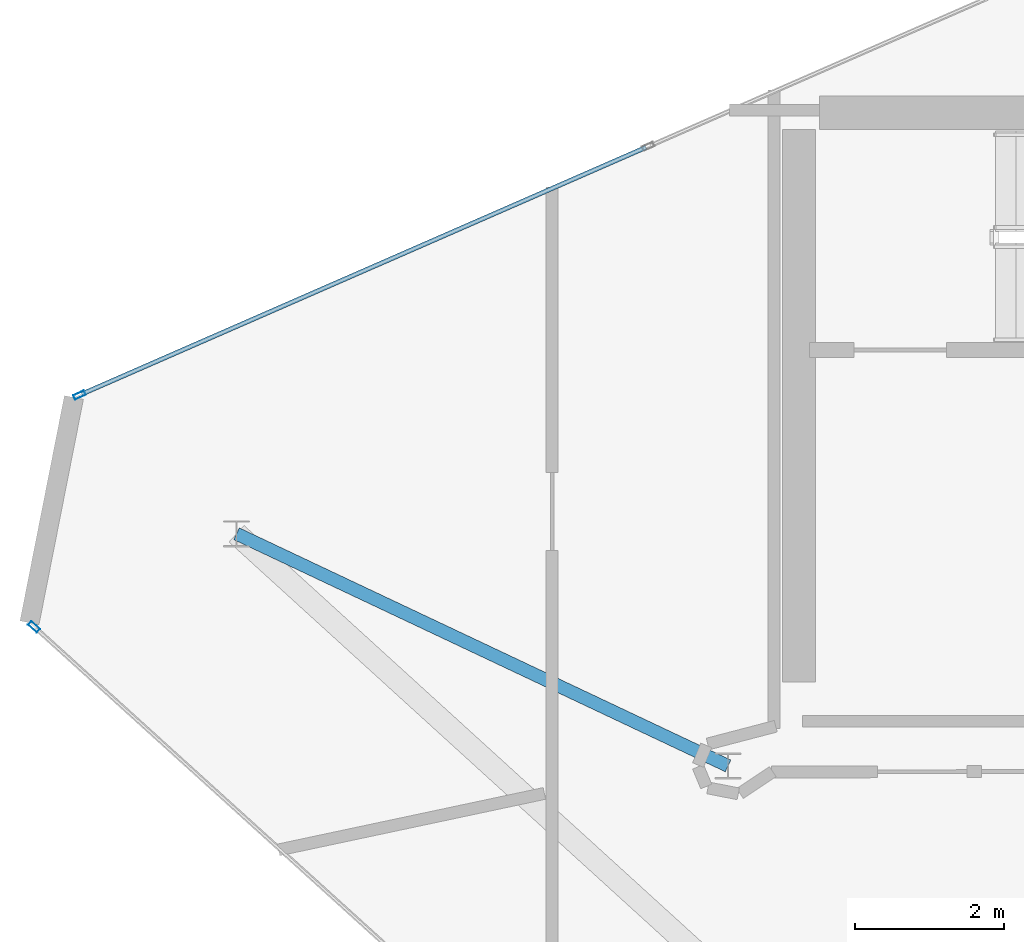
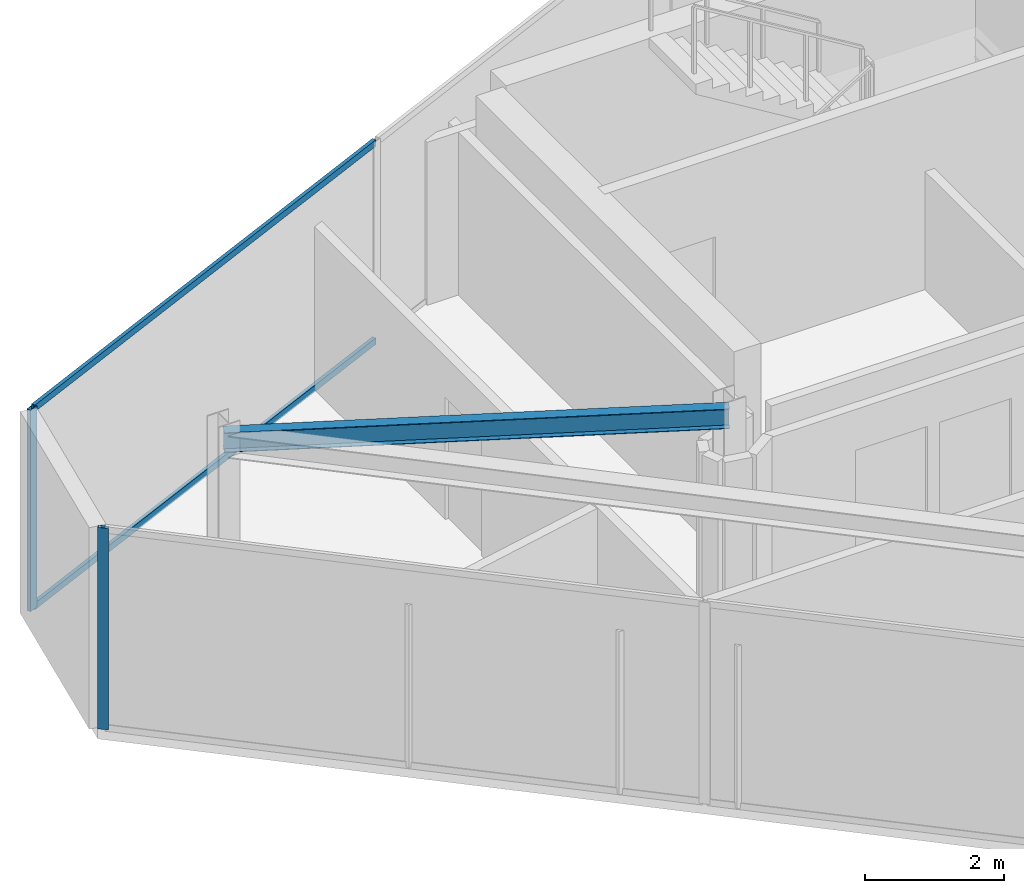
# One storey, part 6 of 14: 4 members, 1 beam, 2 elements without a shape of their own.
"""IFC4 building model written with IfcOpenShell, lengths in metres."""

from ifc_helpers import new_model, si_unit, direction, frame, origin, origin_2d, place, context, subcontext, project, spatial, hollow_rectangle, i_section, extrude, material, layer, layer_set, material_profile, profile_set, type_object, element, aggregate, save


model = new_model("IFC4")

# Units and contexts
model_context = context("Model", 3, precision=1e-05, world=origin(), true_north=direction((0.0, 1.0)))
body_context = subcontext(model_context, "Body", "Model", "MODEL_VIEW")
ifc_project = project(units=[si_unit("LENGTHUNIT", "METRE"), si_unit("AREAUNIT", "SQUARE_METRE"), si_unit("VOLUMEUNIT", "CUBIC_METRE"), si_unit("PLANEANGLEUNIT", "RADIAN"), si_unit("MASSUNIT", "GRAM", prefix="KILO")], contexts=[model_context])

# Site, building, storey
site_placement = place(None, origin())
site = spatial("IfcSite", under=ifc_project, at=site_placement, CompositionType="ELEMENT")
building_placement = place(site_placement, origin())
building = spatial("IfcBuilding", under=site, at=building_placement, Name="Qianvela Tower", CompositionType="ELEMENT")
storey_placement = place(building_placement, frame((0.0, 0.0, 363.800048828125)))
storey = spatial("IfcBuildingStorey", under=building, at=storey_placement, Name="L94", CompositionType="ELEMENT", Elevation=363.800048828125)

# Beam
ifc_material_1 = material(Name="Steel Q355B", Category="steel")
ifc_material_profile_1 = material_profile(ifc_material_1, i_section(OverallWidth=0.175048828125, OverallDepth=0.35009765625, WebThickness=0.007080078125, FlangeThickness=0.010986328125, at=origin_2d()), Name="HN350x175x7x11")
ifc_profile_set_1 = profile_set([ifc_material_profile_1], Name="Steel Q355B")
beam_type = type_object("IfcBeamType", Name="BM-HN350-JOIST", PredefinedType="JOIST", material=ifc_profile_set_1)
beam_placement = place(storey_placement, frame((28.60009765625, 23.85009765625, 3.373046875), z_axis=(-0.904234337574, 0.427036605868, 0.0), x_axis=(-0.427036605868, -0.904234337574, 0.0)))
element("IfcBeam", 1, at=beam_placement, inside=storey, type_object=beam_type, Name="L94 Crown Radial Floor Girder 3", PredefinedType="JOIST", context=body_context, shape_type="SweptSolid", body=[
    extrude(i_section(OverallWidth=0.175048828125, OverallDepth=0.35009765625, WebThickness=0.007080078125, FlangeThickness=0.010986328125, at=origin_2d()), origin(), (0.0, 0.0, 1.0), 7.320068359375),
])

# Curtain wall, member
ifc_material_2 = material(Name="Anodised Architectural Aluminium and Low-E Glass", Category="aluminium")
ifc_layer = layer(ifc_material_2, 0.159912109375)
ifc_layer_set = layer_set([ifc_layer], Name="Anodised Architectural Aluminium and Low-E Glass")
curtain_wall_type = type_object("IfcCurtainWallType", Name="CW-CROWN", PredefinedType="USERDEFINED", material=ifc_layer_set)
curtain_wall_1_placement = place(storey_placement, origin())
curtain_wall_1 = element("IfcCurtainWall", 2, at=curtain_wall_1_placement, inside=storey, type_object=curtain_wall_type, Name="L94 CW-CROWN Curtain Wall 02", ObjectType="CURTAIN_WALL_SYSTEM", PredefinedType="USERDEFINED")
ifc_material_3 = material(Name="Anodised Architectural Aluminium 6063-T6", Category="aluminium")
ifc_material_profile_2 = material_profile(ifc_material_3, hollow_rectangle(XDim=0.06494140625, YDim=0.159912109375, WallThickness=0.0048828125, at=origin_2d()), Name="ALU-MULL-65x160")
ifc_profile_set_2 = profile_set([ifc_material_profile_2], Name="Anodised Architectural Aluminium 6063-T6")
member_type_1 = type_object("IfcMemberType", Name="CW-CROWN-MULL", PredefinedType="MULLION", material=ifc_profile_set_2)
member_1_placement = place(storey_placement, frame((19.865478515625, 28.84423828125, 0.0), z_axis=(0.0, 0.0, 1.0), x_axis=(0.400641604118, -0.916234852562, 0.0)))
member_1 = element("IfcMember", 3, at=member_1_placement, type_object=member_type_1, Name="CW-8 mullion 5", PredefinedType="MULLION", context=body_context, shape_type="SweptSolid", body=[
    extrude(hollow_rectangle(XDim=0.06494140625, YDim=0.159912109375, WallThickness=0.0048828125, at=origin_2d()), origin(), (0.0, 0.0, 1.0), 3.550048828125),
])

curtain_wall_2_placement = place(storey_placement, origin())
curtain_wall_2 = element("IfcCurtainWall", 4, at=curtain_wall_2_placement, inside=storey, type_object=curtain_wall_type, Name="L94 CW-CROWN Curtain Wall 04", ObjectType="CURTAIN_WALL_SYSTEM", PredefinedType="USERDEFINED")
member_2_placement = place(storey_placement, frame((19.2529296875, 25.722900390625, 0.0), z_axis=(0.0, 0.0, 1.0), x_axis=(0.671203657734, 0.741272992793, 0.0)))
member_2 = element("IfcMember", 5, at=member_2_placement, type_object=member_type_1, Name="CW-8 mullion 1", PredefinedType="MULLION", context=body_context, shape_type="SweptSolid", body=[
    extrude(hollow_rectangle(XDim=0.06494140625, YDim=0.159912109375, WallThickness=0.0048828125, at=origin_2d()), origin(), (0.0, 0.0, 1.0), 3.550048828125),
])
aggregate(curtain_wall_2, [member_2])

# Member
ifc_material_4 = material(Name="Anodised Architectural Aluminium 6063-T6", Category="aluminium")
ifc_material_profile_3 = material_profile(ifc_material_4, hollow_rectangle(XDim=0.06005859375, YDim=0.114990234375, WallThickness=0.00390625, at=origin_2d()), Name="ALU-TRAN-60x115")
ifc_profile_set_3 = profile_set([ifc_material_profile_3], Name="Anodised Architectural Aluminium 6063-T6")
member_type_2 = type_object("IfcMemberType", Name="CW-CROWN-TRAN", PredefinedType="USERDEFINED", material=ifc_profile_set_3)
member_3_placement = place(storey_placement, frame((27.49462890625, 32.180419921875, 0.030029296875), z_axis=(-0.916233657137, -0.400644337947, 0.0), x_axis=(0.400644337947, -0.916233657137, 0.0)))
member_3 = element("IfcMember", 6, at=member_3_placement, type_object=member_type_2, Name="CW-8 transom 4.1", ObjectType="TRANSOM", PredefinedType="USERDEFINED", context=body_context, shape_type="SweptSolid", body=[
    extrude(hollow_rectangle(XDim=0.06005859375, YDim=0.114990234375, WallThickness=0.00390625, at=origin_2d()), origin(), (0.0, 0.0, 1.0), 8.294189453125),
])

member_4_placement = place(storey_placement, frame((27.49462890625, 32.180419921875, 3.52001953125), z_axis=(-0.916233657137, -0.400644337947, 0.0), x_axis=(0.400644337947, -0.916233657137, 0.0)))
member_4 = element("IfcMember", 7, at=member_4_placement, type_object=member_type_2, Name="CW-8 transom 4.2", ObjectType="TRANSOM", PredefinedType="USERDEFINED", context=body_context, shape_type="SweptSolid", body=[
    extrude(hollow_rectangle(XDim=0.06005859375, YDim=0.114990234375, WallThickness=0.00390625, at=origin_2d()), origin(), (0.0, 0.0, 1.0), 8.294189453125),
])

aggregate(curtain_wall_1, [member_1, member_3, member_4])

save(model, "model.ifc")
